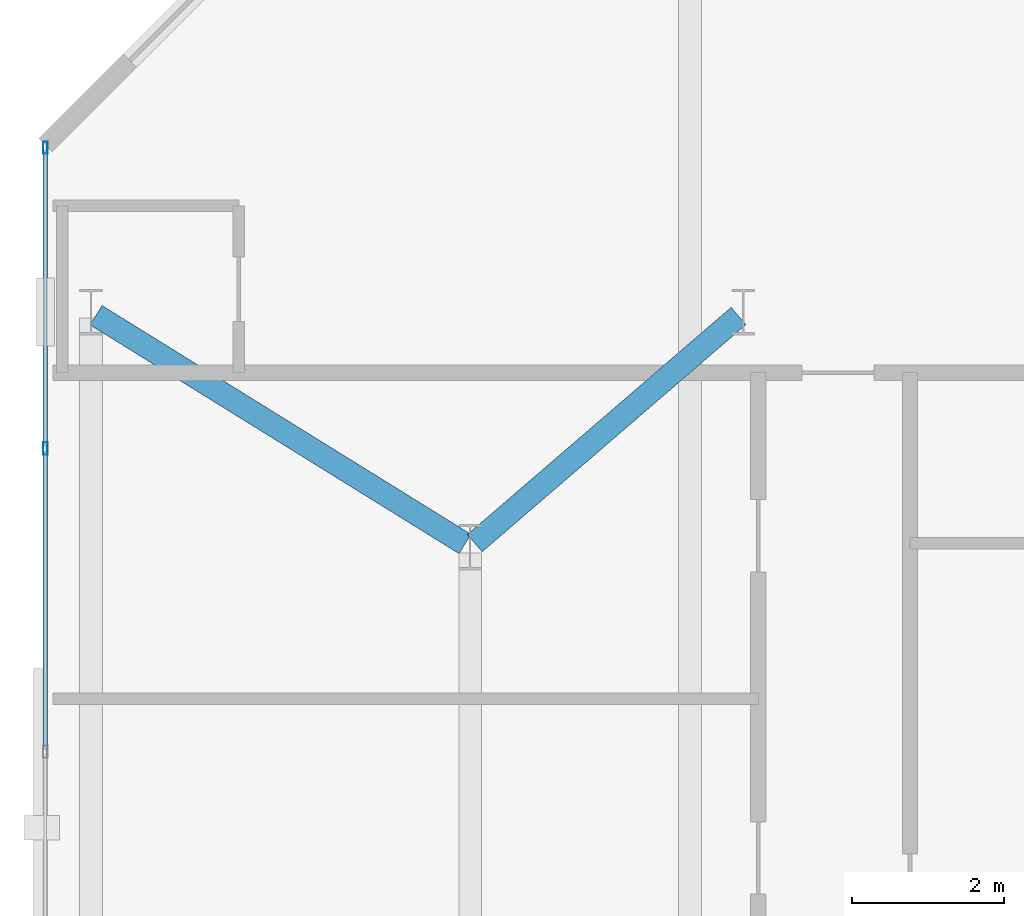
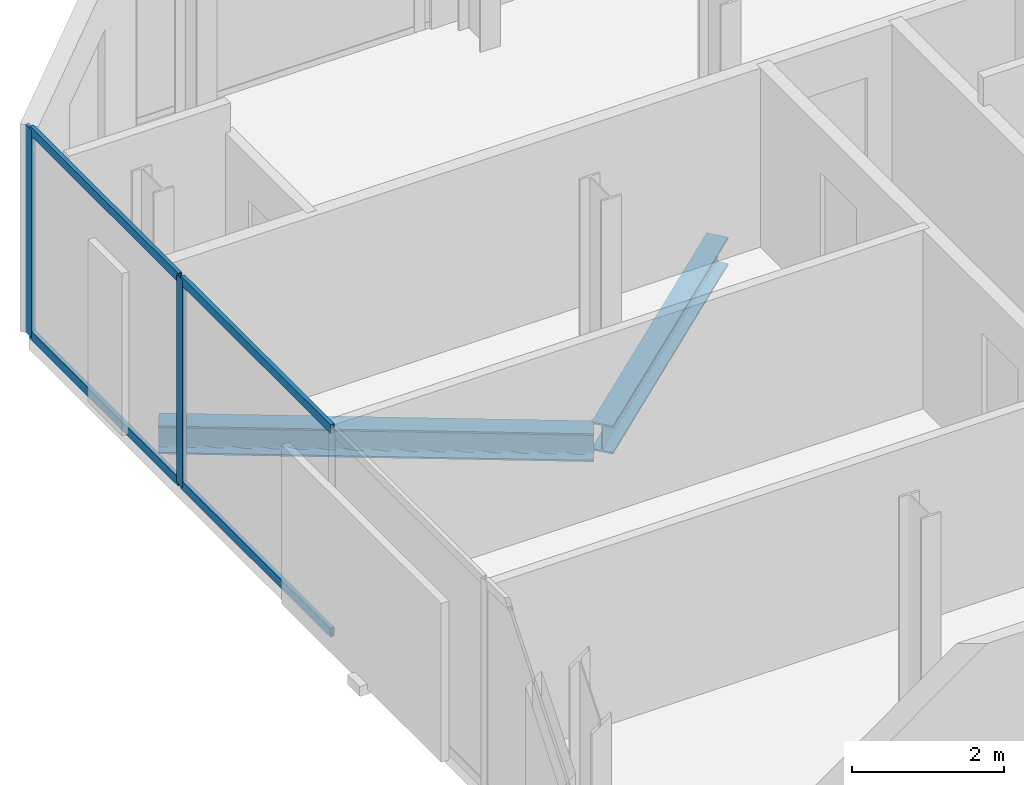
# One storey, part 17 of 33: 6 members, 2 beams, 1 element without a shape of its own.
"""IFC4 building model written with IfcOpenShell, lengths in metres."""

from ifc_helpers import new_model, si_unit, direction, frame, origin, origin_2d, place, context, subcontext, project, spatial, hollow_rectangle, i_section, extrude, material, layer, layer_set, material_profile, profile_set, type_object, element, aggregate, save


model = new_model("IFC4")

# Units and contexts
model_context = context("Model", 3, precision=1e-05, world=origin(), true_north=direction((0.0, 1.0)))
body_context = subcontext(model_context, "Body", "Model", "MODEL_VIEW")
ifc_project = project(units=[si_unit("LENGTHUNIT", "METRE"), si_unit("AREAUNIT", "SQUARE_METRE"), si_unit("VOLUMEUNIT", "CUBIC_METRE"), si_unit("PLANEANGLEUNIT", "RADIAN"), si_unit("MASSUNIT", "GRAM", prefix="KILO")], contexts=[model_context])

# Site, building, storey
site_placement = place(None, origin())
site = spatial("IfcSite", under=ifc_project, at=site_placement, CompositionType="ELEMENT")
building_placement = place(site_placement, origin())
building = spatial("IfcBuilding", under=site, at=building_placement, Name="Catumbela Crestline Tower", CompositionType="ELEMENT")
storey_placement = place(building_placement, frame((0.0, 0.0, 118.8)))
storey = spatial("IfcBuildingStorey", under=building, at=storey_placement, Name="L30", CompositionType="ELEMENT", Elevation=118.8)

# Beams
ifc_material_1 = material(Name="Structural steel S355J2", Category="steel")
ifc_material_profile_1 = material_profile(ifc_material_1, i_section(OverallWidth=0.3, OverallDepth=0.45, WebThickness=0.014, FlangeThickness=0.026, FilletRadius=0.027, at=origin_2d()), Name="HEB 450")
ifc_profile_set_1 = profile_set([ifc_material_profile_1], Name="Structural steel S355J2")
beam_type = type_object("IfcBeamType", Name="BG-HEB450", PredefinedType="BEAM", material=ifc_profile_set_1)
beam_1_placement = place(storey_placement, frame((0.668, 42.2578, -0.485), z_axis=(0.849908952007, -0.526929571479, 0.0), x_axis=(0.526929571479, 0.849908952007, 0.0)))
element("IfcBeam", 1, at=beam_1_placement, inside=storey, type_object=beam_type, Name="L30 Beam BM-L30-N12", PredefinedType="BEAM", context=body_context, shape_type="SweptSolid", body=[
    extrude(i_section(OverallWidth=0.3, OverallDepth=0.45, WebThickness=0.014, FlangeThickness=0.026, FilletRadius=0.027, at=origin_2d()), origin(), (0.0, 0.0, 1.0), 5.723),
])
beam_2_placement = place(storey_placement, frame((5.6606, 39.2522, -0.485), z_axis=(0.757772392559, 0.652518966066, 0.0), x_axis=(-0.652518966066, 0.757772392559, 0.0)))
element("IfcBeam", 2, at=beam_2_placement, inside=storey, type_object=beam_type, Name="L30 Beam BM-L30-N13", PredefinedType="BEAM", context=body_context, shape_type="SweptSolid", body=[
    extrude(i_section(OverallWidth=0.3, OverallDepth=0.45, WebThickness=0.014, FlangeThickness=0.026, FilletRadius=0.027, at=origin_2d()), origin(), (0.0, 0.0, 1.0), 4.5908),
])

# Curtain wall, members
ifc_material_2 = material(Name="Aluminium alloy AW-6060-T66", Category="aluminium")
ifc_layer = layer(ifc_material_2, 0.18, Name="Aluminium alloy AW-6060-T66")
ifc_layer_set = layer_set([ifc_layer], Name="Aluminium alloy AW-6060-T66")
curtain_wall_type = type_object("IfcCurtainWallType", Name="CWU-Z2", PredefinedType="USERDEFINED", material=ifc_layer_set)
curtain_wall_placement = place(storey_placement, origin())
curtain_wall = element("IfcCurtainWall", 3, at=curtain_wall_placement, inside=storey, type_object=curtain_wall_type, Name="L30 Unitised Curtain Wall CW-L30-E9S1", ObjectType="UNITISED", PredefinedType="USERDEFINED")
ifc_material_profile_2 = material_profile(ifc_material_2, hollow_rectangle(XDim=0.06, YDim=0.16, WallThickness=0.004, at=origin_2d()), Name="ALU 160x60x4")
ifc_profile_set_2 = profile_set([ifc_material_profile_2], Name="Aluminium alloy AW-6060-T66")
member_type_1 = type_object("IfcMemberType", Name="MUL-160X60", PredefinedType="MULLION", material=ifc_profile_set_2)
member_1_placement = place(storey_placement, frame((0.0, 44.4675, 0.0), z_axis=(0.0, 0.0, 1.0), x_axis=(1.0, 0.0, 0.0)))
member_1 = element("IfcMember", 4, at=member_1_placement, type_object=member_type_1, Name="CWU-Z2 mullion 1", PredefinedType="MULLION", context=body_context, shape_type="SweptSolid", body=[
    extrude(hollow_rectangle(XDim=0.06, YDim=0.16, WallThickness=0.004, at=origin_2d()), origin(), (0.0, 0.0, 1.0), 3.33),
])
member_2_placement = place(storey_placement, frame((0.0, 40.5, 0.0), z_axis=(0.0, 0.0, 1.0), x_axis=(1.0, 0.0, 0.0)))
member_2 = element("IfcMember", 5, at=member_2_placement, type_object=member_type_1, Name="CWU-Z2 mullion 2", PredefinedType="MULLION", context=body_context, shape_type="SweptSolid", body=[
    extrude(hollow_rectangle(XDim=0.06, YDim=0.16, WallThickness=0.004, at=origin_2d()), origin(), (0.0, 0.0, 1.0), 3.33),
])
ifc_material_profile_3 = material_profile(ifc_material_2, hollow_rectangle(XDim=0.06, YDim=0.14, WallThickness=0.004, at=origin_2d()), Name="ALU 140x60x4")
ifc_profile_set_3 = profile_set([ifc_material_profile_3], Name="Aluminium alloy AW-6060-T66")
member_type_2 = type_object("IfcMemberType", Name="TRN-140X60", PredefinedType="USERDEFINED", material=ifc_profile_set_3)
member_3_placement = place(storey_placement, frame((0.0, 44.435, 0.03), z_axis=(0.0, -1.0, 0.0), x_axis=(1.0, 0.0, 0.0)))
member_3 = element("IfcMember", 6, at=member_3_placement, type_object=member_type_2, Name="CWU-Z2 transom 1.1", ObjectType="TRANSOM", PredefinedType="USERDEFINED", context=body_context, shape_type="SweptSolid", body=[
    extrude(hollow_rectangle(XDim=0.06, YDim=0.14, WallThickness=0.004, at=origin_2d()), origin(), (0.0, 0.0, 1.0), 3.9025),
])
member_4_placement = place(storey_placement, frame((0.0, 44.435, 3.3), z_axis=(0.0, -1.0, 0.0), x_axis=(1.0, 0.0, 0.0)))
member_4 = element("IfcMember", 7, at=member_4_placement, type_object=member_type_2, Name="CWU-Z2 transom 1.2", ObjectType="TRANSOM", PredefinedType="USERDEFINED", context=body_context, shape_type="SweptSolid", body=[
    extrude(hollow_rectangle(XDim=0.06, YDim=0.14, WallThickness=0.004, at=origin_2d()), origin(), (0.0, 0.0, 1.0), 3.9025),
])
member_5_placement = place(storey_placement, frame((0.0, 40.4675, 0.03), z_axis=(0.0, -1.0, 0.0), x_axis=(1.0, 0.0, 0.0)))
member_5 = element("IfcMember", 8, at=member_5_placement, type_object=member_type_2, Name="CWU-Z2 transom 2.1", ObjectType="TRANSOM", PredefinedType="USERDEFINED", context=body_context, shape_type="SweptSolid", body=[
    extrude(hollow_rectangle(XDim=0.06, YDim=0.14, WallThickness=0.004, at=origin_2d()), origin(), (0.0, 0.0, 1.0), 3.935),
])
member_6_placement = place(storey_placement, frame((0.0, 40.4675, 3.3), z_axis=(0.0, -1.0, 0.0), x_axis=(1.0, 0.0, 0.0)))
member_6 = element("IfcMember", 9, at=member_6_placement, type_object=member_type_2, Name="CWU-Z2 transom 2.2", ObjectType="TRANSOM", PredefinedType="USERDEFINED", context=body_context, shape_type="SweptSolid", body=[
    extrude(hollow_rectangle(XDim=0.06, YDim=0.14, WallThickness=0.004, at=origin_2d()), origin(), (0.0, 0.0, 1.0), 3.935),
])
aggregate(curtain_wall, [member_1, member_2, member_3, member_4, member_5, member_6])

save(model, "model.ifc")
